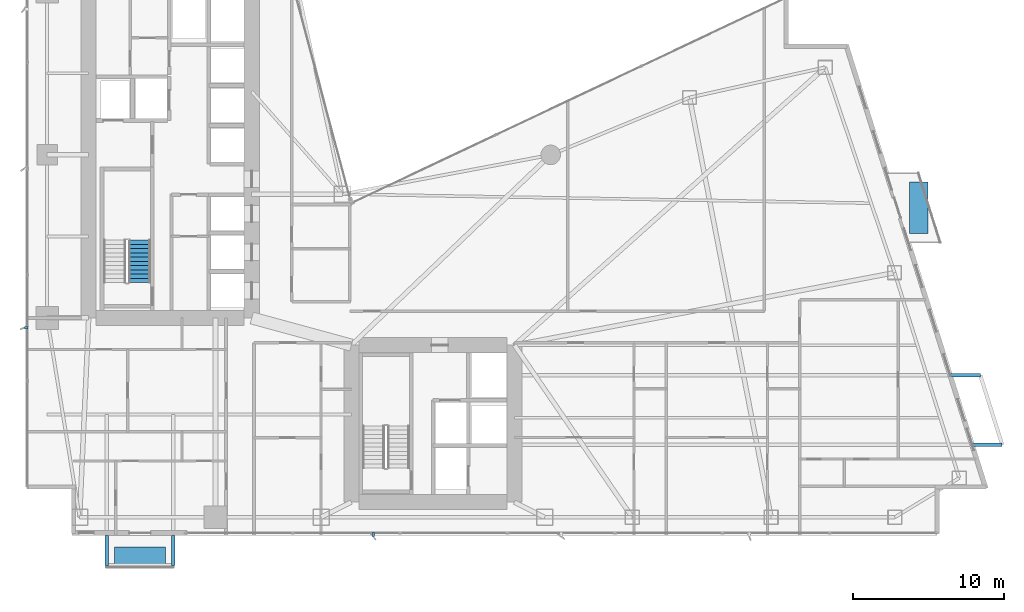
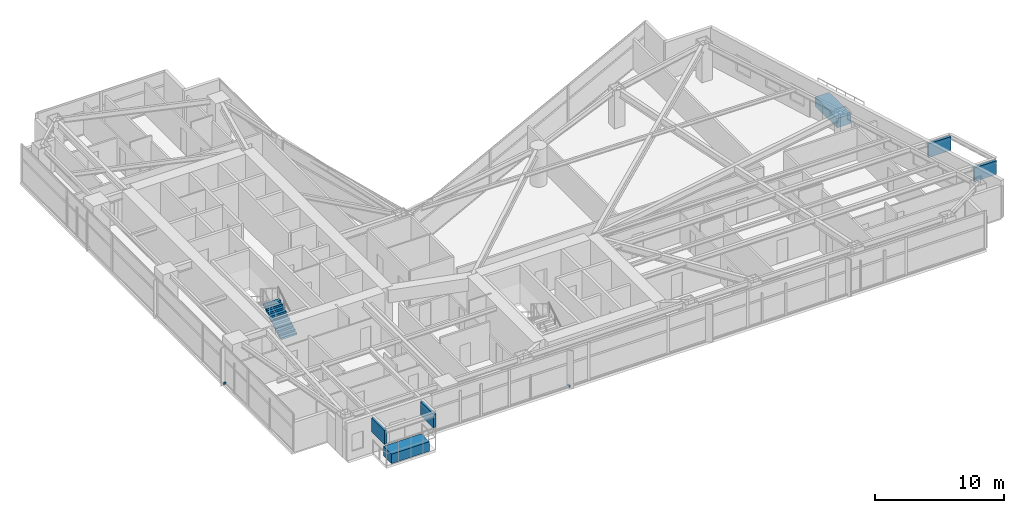
# One storey, part 26 of 29: 8 discrete accessories, 1 stair flight, 1 element without a shape of its own.
"""IFC4 building model written with IfcOpenShell, lengths in metres."""

from ifc_helpers import new_model, si_unit, direction, frame, origin, origin_2d, place, context, subcontext, project, spatial, polyline, rectangle, outline, extrude, material, type_object, element, aggregate, save


model = new_model("IFC4")

# Units and contexts
model_context = context("Model", 3, precision=1e-05, world=origin(), true_north=direction((0.0, 1.0)))
body_context = subcontext(model_context, "Body", "Model", "MODEL_VIEW")
ifc_project = project(units=[si_unit("LENGTHUNIT", "METRE"), si_unit("AREAUNIT", "SQUARE_METRE"), si_unit("VOLUMEUNIT", "CUBIC_METRE"), si_unit("PLANEANGLEUNIT", "RADIAN"), si_unit("MASSUNIT", "GRAM", prefix="KILO")], contexts=[model_context])

# Site, building, storey
site_placement = place(None, origin())
site = spatial("IfcSite", under=ifc_project, at=site_placement, CompositionType="ELEMENT")
building_placement = place(site_placement, origin())
building = spatial("IfcBuilding", under=site, at=building_placement, Name="Calvorn Quay Hotel", CompositionType="ELEMENT")
storey_placement = place(building_placement, frame((0.0, 0.0, 69.800048828125)))
storey = spatial("IfcBuildingStorey", under=building, at=storey_placement, Name="L16", CompositionType="ELEMENT", Elevation=69.800048828125)

# Stair, stair flight
ifc_material_1 = material(Name="Concrete C40", Category="concrete")
stair_type = type_object("IfcStairType", Name="STR-CORE-DOGLEG", PredefinedType="HALF_TURN_STAIR", material=ifc_material_1)
stair_placement = place(storey_placement, origin())
stair = element("IfcStair", 1, at=stair_placement, inside=storey, type_object=stair_type, Name="L16 ST-W", PredefinedType="HALF_TURN_STAIR")
ifc_material_2 = material(Name="Concrete C40", Category="concrete")
stair_flight_type = type_object("IfcStairFlightType", Name="FLT-CORE-1550", PredefinedType="STRAIGHT", material=ifc_material_2)
stair_flight_placement = place(storey_placement, frame((7.574951171875, 19.14990234375, 0.0), z_axis=(0.0, 0.0, 1.0), x_axis=(0.0, 1.0, 0.0)))
stair_flight = element("IfcStairFlight", 2, at=stair_flight_placement, type_object=stair_flight_type, Name="ST-W flight 1", NumberOfRisers=11, NumberOfTreads=10, PredefinedType="STRAIGHT", RiserHeight=0.172727273, TreadLength=0.28, context=body_context, shape_type="SweptSolid", body=[
    extrude(outline(polyline([(0.0, 0.0), (0.0, 0.172607421875), (0.280029296875, 0.172607421875), (0.280029296875, 0.345458984375), (0.56005859375, 0.345458984375), (0.56005859375, 0.51806640625), (0.840087890625, 0.51806640625), (0.840087890625, 0.69091796875), (1.1201171875, 0.69091796875), (1.1201171875, 0.863525390625), (1.39990234375, 0.863525390625), (1.39990234375, 1.036376953125), (1.679931640625, 1.036376953125), (1.679931640625, 1.208984375), (1.9599609375, 1.208984375), (1.9599609375, 1.3818359375), (2.239990234375, 1.3818359375), (2.239990234375, 1.554443359375), (2.52001953125, 1.554443359375), (2.52001953125, 1.727294921875), (2.800048828125, 1.727294921875), (2.800048828125, 1.89990234375), (2.800048828125, 1.551025390625), (0.285400390625, 0.0), (0.0, 0.0)])), frame((0.0, 0.72509765625, 0.0), z_axis=(0.0, -1.0, 0.0), x_axis=(1.0, 0.0, 0.0)), (0.0, 0.0, 1.0), 1.449951171875),
])
aggregate(stair, [stair_flight])

# Discrete accessories
ifc_material_3 = material(Name="Steel Q355B", Category="steel")
discrete_accessory_type_1 = type_object("IfcDiscreteAccessoryType", Name="ACC-BALC-STRUT", PredefinedType="BRACKET", material=ifc_material_3)
for number, where, z_axis, x_axis, name in (
    (3, (63.712890625, 8.39990234375, 2.01513671875), (0.0, 0.0, 1.0), (1.0, 0.0, 0.0), "Exterior Balcony Steel Bracket L17-BALC-E-A"),
    (4, (62.262939453125, 13.0, 2.01513671875), (0.0, 0.0, 1.0), (1.0, 0.0, 0.0), "Exterior Balcony Steel Bracket L17-BALC-E-B"),
):
    element("IfcDiscreteAccessory", number, at=place(storey_placement, frame(where, z_axis=z_axis, x_axis=x_axis)), inside=storey, type_object=discrete_accessory_type_1, Name=name, PredefinedType="BRACKET", context=body_context, shape_type="SweptSolid", body=[
        extrude(rectangle(XDim=1.989990234375, YDim=0.219970703125, at=origin_2d()), origin(), (0.0, 0.0, 1.0), 1.300048828125),
    ])
for number, where, z_axis, x_axis, name in (
    (5, (5.39990234375, 1.405029296875, 2.01513671875), (0.0, 0.0, 1.0), (1.0, 0.0, 0.0), "Exterior Balcony Steel Bracket L17-BALC-S-A"),
    (6, (9.800048828125, 1.405029296875, 2.01513671875), (0.0, 0.0, 1.0), (1.0, 0.0, 0.0), "Exterior Balcony Steel Bracket L17-BALC-S-B"),
):
    element("IfcDiscreteAccessory", number, at=place(storey_placement, frame(where, z_axis=z_axis, x_axis=x_axis)), inside=storey, type_object=discrete_accessory_type_1, Name=name, PredefinedType="BRACKET", context=body_context, shape_type="SweptSolid", body=[
        extrude(rectangle(XDim=0.219970703125, YDim=1.989990234375, at=origin_2d()), origin(), (0.0, 0.0, 1.0), 1.300048828125),
    ])
ifc_material_4 = material(Name="Steel Q355B", Category="steel")
discrete_accessory_type_2 = type_object("IfcDiscreteAccessoryType", Name="ACC-FIN-BRACKET", PredefinedType="BRACKET", material=ifc_material_4)
for number, where, z_axis, x_axis, name in (
    (7, (0.06005859375, 16.14990234375, 0.02978515625), (0.0, 0.0, 1.0), (1.0, 0.0, 0.0), "Fin Anchor Bracket L16-W01"),
    (8, (23.050048828125, 2.4599609375, 0.02978515625), (0.0, 0.0, 1.0), (0.0, 1.0, 0.0), "Fin Anchor Bracket L16-S01"),
):
    element("IfcDiscreteAccessory", number, at=place(storey_placement, frame(where, z_axis=z_axis, x_axis=x_axis)), inside=storey, type_object=discrete_accessory_type_2, Name=name, PredefinedType="BRACKET", context=body_context, shape_type="SweptSolid", body=[
        extrude(rectangle(XDim=0.239990234375, YDim=0.159912109375, at=origin_2d()), origin(), (0.0, 0.0, 1.0), 0.179931640625),
    ])
ifc_material_5 = material(Name="Precast concrete C40", Category="concrete")
discrete_accessory_type_3 = type_object("IfcDiscreteAccessoryType", Name="ACC-TREE-PLANTER", PredefinedType="USERDEFINED", material=ifc_material_5)
discrete_accessory_1_placement = place(storey_placement, frame((59.180908203125, 24.10009765625, 0.0), z_axis=(0.0, 0.0, 1.0), x_axis=(1.0, 0.0, 0.0)))
element("IfcDiscreteAccessory", 9, at=discrete_accessory_1_placement, inside=storey, type_object=discrete_accessory_type_3, Name="Subtropical Tree Structural Planter L16-BALC-E", ObjectType="PLANTER", PredefinedType="USERDEFINED", context=body_context, shape_type="SweptSolid", body=[
    extrude(rectangle(XDim=1.25, YDim=3.39990234375, at=origin_2d()), origin(), (0.0, 0.0, 1.0), 0.89990234375),
])
discrete_accessory_2_placement = place(storey_placement, frame((7.60009765625, 0.989990234375, 0.0), z_axis=(0.0, 0.0, 1.0), x_axis=(1.0, 0.0, 0.0)))
element("IfcDiscreteAccessory", 10, at=discrete_accessory_2_placement, inside=storey, type_object=discrete_accessory_type_3, Name="Subtropical Tree Structural Planter L16-BALC-S", ObjectType="PLANTER", PredefinedType="USERDEFINED", context=body_context, shape_type="SweptSolid", body=[
    extrude(rectangle(XDim=3.39990234375, YDim=1.25, at=origin_2d()), origin(), (0.0, 0.0, 1.0), 0.89990234375),
])

save(model, "model.ifc")
